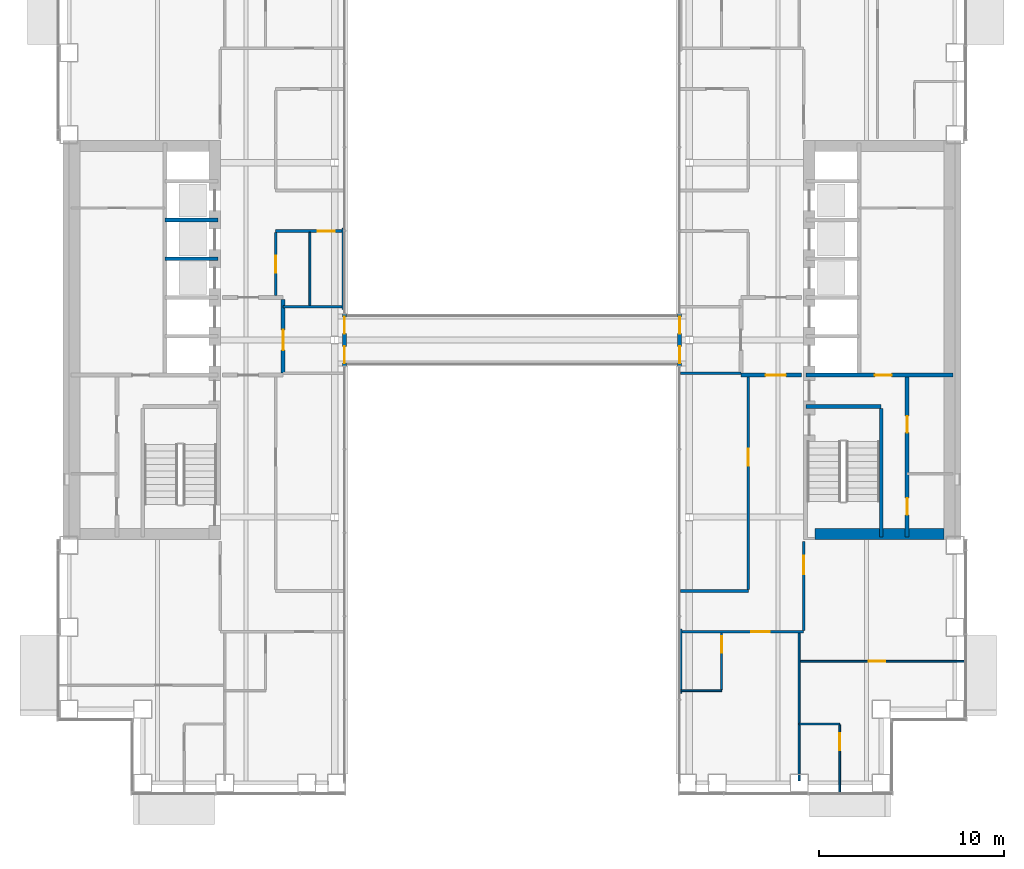
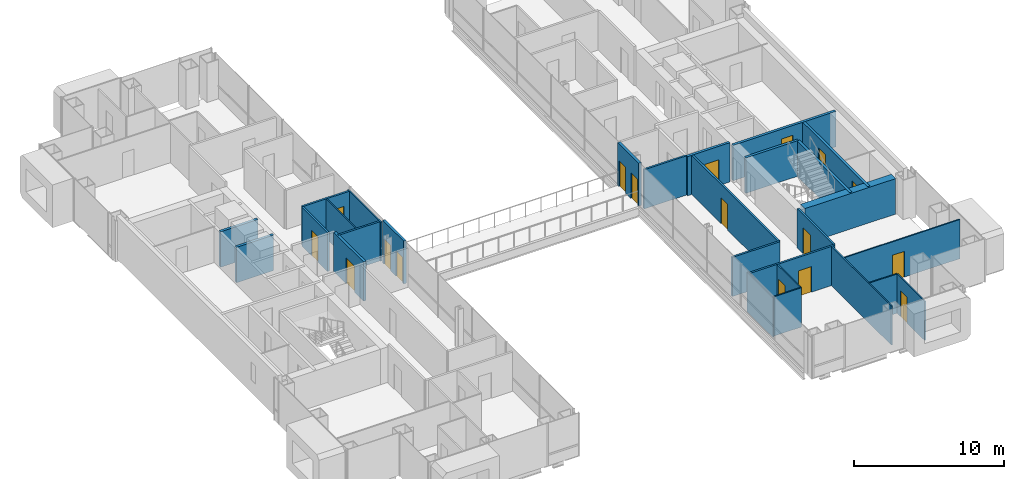
# One storey, part 15 of 21: 28 walls, 17 doors, 17 openings.
"""IFC4 building model written with IfcOpenShell, lengths in metres."""

from ifc_helpers import new_model, si_unit, direction, frame, frame_2d, origin, place, context, subcontext, project, spatial, rectangle, extrude, material, layer, layer_set, type_object, element, fill, save


model = new_model("IFC4")

# Units and contexts
model_context = context("Model", 3, precision=1e-05, world=origin(), true_north=direction((0.0, 1.0)))
body_context = subcontext(model_context, "Body", "Model", "MODEL_VIEW")
ifc_project = project(units=[si_unit("LENGTHUNIT", "METRE"), si_unit("AREAUNIT", "SQUARE_METRE"), si_unit("VOLUMEUNIT", "CUBIC_METRE"), si_unit("PLANEANGLEUNIT", "RADIAN"), si_unit("MASSUNIT", "GRAM", prefix="KILO")], contexts=[model_context])

# Site, building, storey
site_placement = place(None, origin())
site = spatial("IfcSite", under=ifc_project, at=site_placement, CompositionType="ELEMENT")
building_placement = place(site_placement, origin())
building = spatial("IfcBuilding", under=site, at=building_placement, Name="Cobrizo Arcos Hotel Tower", CompositionType="ELEMENT")
storey_placement = place(building_placement, frame((0.0, 0.0, 81.0)))
storey = spatial("IfcBuildingStorey", under=building, at=storey_placement, Name="L19", CompositionType="ELEMENT", Elevation=81.0)

# Wall, opening, door
ifc_material_1 = material(Name="Gypsum board partition")
ifc_layer_1 = layer(ifc_material_1, 0.14990234375)
ifc_layer_set_1 = layer_set([ifc_layer_1], Name="Corridor wall EI 60 150")
wall_type_1 = type_object("IfcWallType", Name="Corridor wall EI 60 150", PredefinedType="PARTITIONING", material=ifc_layer_set_1)
wall_1_placement = place(storey_placement, frame((9.14990234375, -15.800048828125, 0.0), z_axis=(0.0, 0.0, 1.0), x_axis=(1.0, 0.0, 0.0)))
wall_1 = element("IfcWall", 1, at=wall_1_placement, inside=storey, type_object=wall_type_1, Name="Partition 008", PredefinedType="PARTITIONING", context=body_context, shape_type="SweptSolid", body=[
    extrude(rectangle(XDim=6.650146484375, YDim=0.14990234375, at=frame_2d((3.3251953125, 0.0))), origin(), (0.0, 0.0, 1.0), 3.199951171875),
])
opening_1_placement = place(wall_1_placement, frame((3.802978515625, 0.0, 0.0)))
opening_1 = element("IfcOpeningElement", 2, at=opening_1_placement, cuts=wall_1, Name="Opening GD-03", PredefinedType="OPENING", context=body_context, shape_type="SweptSolid", body=[
    extrude(rectangle(XDim=1.0, YDim=2.10009765625, at=frame_2d((0.5, 1.050048828125))), frame((0.0, 0.0869140625, 0.0), z_axis=(0.0, -1.0, 0.0), x_axis=(1.0, 0.0, 0.0)), (0.0, 0.0, 1.0), 0.173828125),
])
ifc_material_2 = material(Name="Timber door leaf", Category="wood")
door_type_1 = type_object("IfcDoorType", Name="Guest room door FD30S 1000x2100", OperationType="SINGLE_SWING_LEFT", PredefinedType="DOOR", material=ifc_material_2)
door_1_placement = place(opening_1_placement, origin())
door_1 = element("IfcDoor", 3, at=door_1_placement, inside=storey, type_object=door_type_1, Name="Door GD-03", OperationType="SINGLE_SWING_LEFT", OverallHeight=2.10009765625, OverallWidth=1.0, PredefinedType="DOOR", context=body_context, shape_type="SweptSolid", body=[
    extrude(rectangle(XDim=1.0, YDim=2.10009765625, at=frame_2d((0.5, 1.050048828125))), frame((0.0, 0.02490234375, 0.0), z_axis=(0.0, -1.0, 0.0), x_axis=(1.0, 0.0, 0.0)), (0.0, 0.0, 1.0), 0.050048828125),
])
fill(opening_1, door_1)

# Walls
wall_2_placement = place(storey_placement, frame((9.1201171875, -13.60009765625, 0.0), z_axis=(0.0, 0.0, 1.0), x_axis=(1.0, 0.0, 0.0)))
element("IfcWall", 4, at=wall_2_placement, inside=storey, type_object=wall_type_1, Name="Partition 010", PredefinedType="PARTITIONING", context=body_context, shape_type="SweptSolid", body=[
    extrude(rectangle(XDim=3.679931640625, YDim=0.14990234375, at=frame_2d((1.83984375, 0.0))), origin(), (0.0, 0.0, 1.0), 3.199951171875),
])
wall_3_placement = place(storey_placement, frame((9.1201171875, -1.800048828125, 0.0), z_axis=(0.0, 0.0, 1.0), x_axis=(1.0, 0.0, 0.0)))
element("IfcWall", 5, at=wall_3_placement, inside=storey, type_object=wall_type_1, Name="Partition 020", PredefinedType="PARTITIONING", context=body_context, shape_type="SweptSolid", body=[
    extrude(rectangle(XDim=3.27978515625, YDim=0.14990234375, at=frame_2d((1.639892578125, 0.0))), origin(), (0.0, 0.0, 1.0), 3.199951171875),
])
wall_4_placement = place(storey_placement, frame((-12.39990234375, 1.800048828125, 0.0), z_axis=(0.0, 0.0, 1.0), x_axis=(1.0, 0.0, 0.0)))
element("IfcWall", 6, at=wall_4_placement, inside=storey, type_object=wall_type_1, Name="Partition 023", PredefinedType="PARTITIONING", context=body_context, shape_type="SweptSolid", body=[
    extrude(rectangle(XDim=3.25, YDim=0.14990234375, at=frame_2d((1.625, 0.0))), origin(), (0.0, 0.0, 1.0), 3.199951171875),
])

# Wall, opening, door
wall_5_placement = place(storey_placement, frame((-12.800048828125, 5.89990234375, 0.0), z_axis=(0.0, 0.0, 1.0), x_axis=(1.0, 0.0, 0.0)))
wall_5 = element("IfcWall", 7, at=wall_5_placement, inside=storey, type_object=wall_type_1, Name="Partition 031", PredefinedType="PARTITIONING", context=body_context, shape_type="SweptSolid", body=[
    extrude(rectangle(XDim=3.650146484375, YDim=0.14990234375, at=frame_2d((1.8251953125, 0.0))), origin(), (0.0, 0.0, 1.0), 3.199951171875),
])
opening_2_placement = place(wall_5_placement, frame((2.2880859375, 0.0, 0.0)))
opening_2 = element("IfcOpeningElement", 8, at=opening_2_placement, cuts=wall_5, Name="Opening ED-10", PredefinedType="OPENING", context=body_context, shape_type="SweptSolid", body=[
    extrude(rectangle(XDim=0.89990234375, YDim=2.10009765625, at=frame_2d((0.449951171875, 1.050048828125))), frame((0.0, 0.0869140625, 0.0), z_axis=(0.0, -1.0, 0.0), x_axis=(1.0, 0.0, 0.0)), (0.0, 0.0, 1.0), 0.173828125),
])
door_type_2 = type_object("IfcDoorType", Name="En-suite door 900x2100", OperationType="SINGLE_SWING_LEFT", PredefinedType="DOOR", material=ifc_material_2)
door_2_placement = place(opening_2_placement, origin())
door_2 = element("IfcDoor", 9, at=door_2_placement, inside=storey, type_object=door_type_2, Name="Door ED-10", OperationType="SINGLE_SWING_LEFT", OverallHeight=2.10009765625, OverallWidth=0.89990234375, PredefinedType="DOOR", context=body_context, shape_type="SweptSolid", body=[
    extrude(rectangle(XDim=0.89990234375, YDim=2.10009765625, at=frame_2d((0.449951171875, 1.050048828125))), frame((0.0, 0.02490234375, 0.0), z_axis=(0.0, -1.0, 0.0), x_axis=(1.0, 0.0, 0.0)), (0.0, 0.0, 1.0), 0.050048828125),
])
fill(opening_2, door_2)

wall_6_placement = place(storey_placement, frame((-12.800048828125, 2.39990234375, 0.0), z_axis=(0.0, 0.0, 1.0), x_axis=(0.0, 1.0, 0.0)))
wall_6 = element("IfcWall", 10, at=wall_6_placement, inside=storey, type_object=wall_type_1, Name="Partition 062", PredefinedType="PARTITIONING", context=body_context, shape_type="SweptSolid", body=[
    extrude(rectangle(XDim=3.425048828125, YDim=0.14990234375, at=frame_2d((1.71240234375, 0.0))), origin(), (0.0, 0.0, 1.0), 3.199951171875),
])
opening_3_placement = place(wall_6_placement, frame((1.25, 0.0, 0.0)))
opening_3 = element("IfcOpeningElement", 11, at=opening_3_placement, cuts=wall_6, Name="Opening ED-09", PredefinedType="OPENING", context=body_context, shape_type="SweptSolid", body=[
    extrude(rectangle(XDim=0.89990234375, YDim=2.10009765625, at=frame_2d((0.449951171875, 1.050048828125))), frame((0.0, 0.0869140625, 0.0), z_axis=(0.0, -1.0, 0.0), x_axis=(1.0, 0.0, 0.0)), (0.0, 0.0, 1.0), 0.173828125),
])
door_3_placement = place(opening_3_placement, origin())
door_3 = element("IfcDoor", 12, at=door_3_placement, inside=storey, type_object=door_type_2, Name="Door ED-09", OperationType="SINGLE_SWING_RIGHT", OverallHeight=2.10009765625, OverallWidth=0.89990234375, PredefinedType="DOOR", context=body_context, shape_type="SweptSolid", body=[
    extrude(rectangle(XDim=0.89990234375, YDim=2.10009765625, at=frame_2d((0.449951171875, 1.050048828125))), frame((0.0, 0.02490234375, 0.0), z_axis=(0.0, -1.0, 0.0), x_axis=(1.0, 0.0, 0.0)), (0.0, 0.0, 1.0), 0.050048828125),
])
fill(opening_3, door_3)

wall_7_placement = place(storey_placement, frame((12.800048828125, -13.52490234375, 0.0), z_axis=(0.0, 0.0, 1.0), x_axis=(0.0, 1.0, 0.0)))
wall_7 = element("IfcWall", 13, at=wall_7_placement, inside=storey, type_object=wall_type_1, Name="Partition 073", PredefinedType="PARTITIONING", context=body_context, shape_type="SweptSolid", body=[
    extrude(rectangle(XDim=11.52490234375, YDim=0.14990234375, at=frame_2d((5.762451171875, 0.0))), origin(), (0.0, 0.0, 1.0), 3.199951171875),
])
opening_4_placement = place(wall_7_placement, frame((6.72509765625, 0.0, 0.0)))
opening_4 = element("IfcOpeningElement", 14, at=opening_4_placement, cuts=wall_7, Name="Opening RD-16", PredefinedType="OPENING", context=body_context, shape_type="SweptSolid", body=[
    extrude(rectangle(XDim=0.89990234375, YDim=2.10009765625, at=frame_2d((0.449951171875, 1.050048828125))), frame((0.0, 0.0869140625, 0.0), z_axis=(0.0, -1.0, 0.0), x_axis=(1.0, 0.0, 0.0)), (0.0, 0.0, 1.0), 0.173828125),
])
door_type_3 = type_object("IfcDoorType", Name="Room door FD30 900x2100", OperationType="SINGLE_SWING_LEFT", PredefinedType="DOOR", material=ifc_material_2)
door_4_placement = place(opening_4_placement, origin())
door_4 = element("IfcDoor", 15, at=door_4_placement, inside=storey, type_object=door_type_3, Name="Door RD-16", OperationType="SINGLE_SWING_LEFT", OverallHeight=2.10009765625, OverallWidth=0.89990234375, PredefinedType="DOOR", context=body_context, shape_type="SweptSolid", body=[
    extrude(rectangle(XDim=0.89990234375, YDim=2.10009765625, at=frame_2d((0.449951171875, 1.050048828125))), frame((0.0, 0.02490234375, 0.0), z_axis=(0.0, -1.0, 0.0), x_axis=(1.0, 0.0, 0.0)), (0.0, 0.0, 1.0), 0.050048828125),
])
fill(opening_4, door_4)

wall_8_placement = place(storey_placement, frame((15.800048828125, -15.72509765625, 0.0), z_axis=(0.0, 0.0, 1.0), x_axis=(0.0, 1.0, 0.0)))
wall_8 = element("IfcWall", 16, at=wall_8_placement, inside=storey, type_object=wall_type_1, Name="Partition 079", PredefinedType="PARTITIONING", context=body_context, shape_type="SweptSolid", body=[
    extrude(rectangle(XDim=4.80517578125, YDim=0.14990234375, at=frame_2d((2.402587890625, 0.0))), origin(), (0.0, 0.0, 1.0), 3.199951171875),
])
opening_5_placement = place(wall_8_placement, frame((3.02490234375, 0.0, 0.0)))
opening_5 = element("IfcOpeningElement", 17, at=opening_5_placement, cuts=wall_8, Name="Opening GD-07", PredefinedType="OPENING", context=body_context, shape_type="SweptSolid", body=[
    extrude(rectangle(XDim=1.0, YDim=2.10009765625, at=frame_2d((0.5, 1.050048828125))), frame((0.0, 0.0869140625, 0.0), z_axis=(0.0, -1.0, 0.0), x_axis=(1.0, 0.0, 0.0)), (0.0, 0.0, 1.0), 0.173828125),
])
door_5_placement = place(opening_5_placement, origin())
door_5 = element("IfcDoor", 18, at=door_5_placement, inside=storey, type_object=door_type_1, Name="Door GD-07", OperationType="SINGLE_SWING_LEFT", OverallHeight=2.10009765625, OverallWidth=1.0, PredefinedType="DOOR", context=body_context, shape_type="SweptSolid", body=[
    extrude(rectangle(XDim=1.0, YDim=2.10009765625, at=frame_2d((0.5, 1.050048828125))), frame((0.0, 0.02490234375, 0.0), z_axis=(0.0, -1.0, 0.0), x_axis=(1.0, 0.0, 0.0)), (0.0, 0.0, 1.0), 0.050048828125),
])
fill(opening_5, door_5)

# Wall, openings, doors
ifc_material_3 = material(Name="Aluminium 6063-T6 anodised pale", Category="aluminium")
ifc_layer_2 = layer(ifc_material_3, 0.199951171875)
ifc_layer_set_2 = layer_set([ifc_layer_2], Name="EW-4 sky bridge door frame wall")
wall_type_2 = type_object("IfcWallType", Name="EW-4 sky bridge door frame wall", PredefinedType="SOLIDWALL", material=ifc_layer_set_2)
wall_9_placement = place(storey_placement, frame((9.074951171875, -1.39990234375, 0.0), z_axis=(0.0, 0.0, 1.0), x_axis=(0.0, 1.0, 0.0)))
wall_9 = element("IfcWall", 19, at=wall_9_placement, inside=storey, type_object=wall_type_2, Name="Sky bridge door wall A E", PredefinedType="SOLIDWALL", context=body_context, shape_type="SweptSolid", body=[
    extrude(rectangle(XDim=2.7998046875, YDim=0.199951171875, at=frame_2d((1.39990234375, 0.0))), origin(), (0.0, 0.0, 1.0), 3.5),
])
opening_6_placement = place(wall_9_placement, frame((0.14990234375, 0.0, 0.0)))
opening_6 = element("IfcOpeningElement", 20, at=opening_6_placement, cuts=wall_9, Name="Opening E-40", PredefinedType="OPENING", context=body_context, shape_type="SweptSolid", body=[
    extrude(rectangle(XDim=0.89990234375, YDim=2.10009765625, at=frame_2d((0.449951171875, 1.050048828125))), frame((0.0, 0.112060546875, 0.0), z_axis=(0.0, -1.0, 0.0), x_axis=(1.0, 0.0, 0.0)), (0.0, 0.0, 1.0), 0.223876953125),
])
opening_7_placement = place(wall_9_placement, frame((1.75, 0.0, 0.0)))
opening_7 = element("IfcOpeningElement", 21, at=opening_7_placement, cuts=wall_9, Name="Opening E-41", PredefinedType="OPENING", context=body_context, shape_type="SweptSolid", body=[
    extrude(rectangle(XDim=0.89990234375, YDim=2.10009765625, at=frame_2d((0.449951171875, 1.050048828125))), frame((0.0, 0.112060546875, 0.0), z_axis=(0.0, -1.0, 0.0), x_axis=(1.0, 0.0, 0.0)), (0.0, 0.0, 1.0), 0.223876953125),
])
ifc_material_4 = material(Name="Aluminium 6063-T6 and clear laminated glass", Category="aluminium")
door_type_4 = type_object("IfcDoorType", Name="D-B2 sky bridge single door 900x2100", OperationType="SINGLE_SWING_LEFT", PredefinedType="DOOR", material=ifc_material_4)
door_6_placement = place(opening_6_placement, origin())
door_6 = element("IfcDoor", 22, at=door_6_placement, inside=storey, type_object=door_type_4, Name="Sky bridge door wall A E door E-40", OperationType="SINGLE_SWING_LEFT", OverallHeight=2.10009765625, OverallWidth=0.89990234375, PredefinedType="DOOR", context=body_context, shape_type="SweptSolid", body=[
    extrude(rectangle(XDim=0.89990234375, YDim=2.10009765625, at=frame_2d((0.449951171875, 1.050048828125))), frame((0.0, 0.02490234375, 0.0), z_axis=(0.0, -1.0, 0.0), x_axis=(1.0, 0.0, 0.0)), (0.0, 0.0, 1.0), 0.050048828125),
])
fill(opening_6, door_6)
door_7_placement = place(opening_7_placement, origin())
door_7 = element("IfcDoor", 23, at=door_7_placement, inside=storey, type_object=door_type_4, Name="Sky bridge door wall A E door E-41", OperationType="SINGLE_SWING_RIGHT", OverallHeight=2.10009765625, OverallWidth=0.89990234375, PredefinedType="DOOR", context=body_context, shape_type="SweptSolid", body=[
    extrude(rectangle(XDim=0.89990234375, YDim=2.10009765625, at=frame_2d((0.449951171875, 1.050048828125))), frame((0.0, 0.02490234375, 0.0), z_axis=(0.0, -1.0, 0.0), x_axis=(1.0, 0.0, 0.0)), (0.0, 0.0, 1.0), 0.050048828125),
])
fill(opening_7, door_7)

wall_10_placement = place(storey_placement, frame((-9.074951171875, -1.39990234375, 0.0), z_axis=(0.0, 0.0, 1.0), x_axis=(0.0, 1.0, 0.0)))
wall_10 = element("IfcWall", 24, at=wall_10_placement, inside=storey, type_object=wall_type_2, Name="Sky bridge door wall A W", PredefinedType="SOLIDWALL", context=body_context, shape_type="SweptSolid", body=[
    extrude(rectangle(XDim=2.7998046875, YDim=0.199951171875, at=frame_2d((1.39990234375, 0.0))), origin(), (0.0, 0.0, 1.0), 3.5),
])
opening_8_placement = place(wall_10_placement, frame((0.14990234375, 0.0, 0.0)))
opening_8 = element("IfcOpeningElement", 25, at=opening_8_placement, cuts=wall_10, Name="Opening E-42", PredefinedType="OPENING", context=body_context, shape_type="SweptSolid", body=[
    extrude(rectangle(XDim=0.89990234375, YDim=2.10009765625, at=frame_2d((0.449951171875, 1.050048828125))), frame((0.0, 0.112060546875, 0.0), z_axis=(0.0, -1.0, 0.0), x_axis=(1.0, 0.0, 0.0)), (0.0, 0.0, 1.0), 0.223876953125),
])
opening_9_placement = place(wall_10_placement, frame((1.75, 0.0, 0.0)))
opening_9 = element("IfcOpeningElement", 26, at=opening_9_placement, cuts=wall_10, Name="Opening E-43", PredefinedType="OPENING", context=body_context, shape_type="SweptSolid", body=[
    extrude(rectangle(XDim=0.89990234375, YDim=2.10009765625, at=frame_2d((0.449951171875, 1.050048828125))), frame((0.0, 0.112060546875, 0.0), z_axis=(0.0, -1.0, 0.0), x_axis=(1.0, 0.0, 0.0)), (0.0, 0.0, 1.0), 0.223876953125),
])
door_8_placement = place(opening_8_placement, origin())
door_8 = element("IfcDoor", 27, at=door_8_placement, inside=storey, type_object=door_type_4, Name="Sky bridge door wall A W door E-42", OperationType="SINGLE_SWING_LEFT", OverallHeight=2.10009765625, OverallWidth=0.89990234375, PredefinedType="DOOR", context=body_context, shape_type="SweptSolid", body=[
    extrude(rectangle(XDim=0.89990234375, YDim=2.10009765625, at=frame_2d((0.449951171875, 1.050048828125))), frame((0.0, 0.02490234375, 0.0), z_axis=(0.0, -1.0, 0.0), x_axis=(1.0, 0.0, 0.0)), (0.0, 0.0, 1.0), 0.050048828125),
])
fill(opening_8, door_8)
door_9_placement = place(opening_9_placement, origin())
door_9 = element("IfcDoor", 28, at=door_9_placement, inside=storey, type_object=door_type_4, Name="Sky bridge door wall A W door E-43", OperationType="SINGLE_SWING_RIGHT", OverallHeight=2.10009765625, OverallWidth=0.89990234375, PredefinedType="DOOR", context=body_context, shape_type="SweptSolid", body=[
    extrude(rectangle(XDim=0.89990234375, YDim=2.10009765625, at=frame_2d((0.449951171875, 1.050048828125))), frame((0.0, 0.02490234375, 0.0), z_axis=(0.0, -1.0, 0.0), x_axis=(1.0, 0.0, 0.0)), (0.0, 0.0, 1.0), 0.050048828125),
])
fill(opening_9, door_9)

# Walls
ifc_layer_3 = layer(ifc_material_1, 0.10009765625)
ifc_layer_set_3 = layer_set([ifc_layer_3], Name="Partition EI 30 100")
wall_type_3 = type_object("IfcWallType", Name="Partition EI 30 100", PredefinedType="PARTITIONING", material=ifc_layer_set_3)
wall_11_placement = place(storey_placement, frame((15.550048828125, -20.800048828125, 0.0), z_axis=(0.0, 0.0, 1.0), x_axis=(1.0, 0.0, 0.0)))
element("IfcWall", 29, at=wall_11_placement, inside=storey, type_object=wall_type_3, Name="Partition 002", PredefinedType="PARTITIONING", context=body_context, shape_type="SweptSolid", body=[
    extrude(rectangle(XDim=2.199951171875, YDim=0.10009765625, at=frame_2d((1.10009765625, 0.0))), origin(), (0.0, 0.0, 1.0), 3.199951171875),
])
wall_12_placement = place(storey_placement, frame((9.14990234375, -19.0, 0.0), z_axis=(0.0, 0.0, 1.0), x_axis=(1.0, 0.0, 0.0)))
element("IfcWall", 30, at=wall_12_placement, inside=storey, type_object=wall_type_3, Name="Partition 004", PredefinedType="PARTITIONING", context=body_context, shape_type="SweptSolid", body=[
    extrude(rectangle(XDim=2.2001953125, YDim=0.10009765625, at=frame_2d((1.10009765625, 0.0))), origin(), (0.0, 0.0, 1.0), 3.199951171875),
])

# Wall, opening, door
wall_13_placement = place(storey_placement, frame((15.550048828125, -17.39990234375, 0.0), z_axis=(0.0, 0.0, 1.0), x_axis=(1.0, 0.0, 0.0)))
wall_13 = element("IfcWall", 31, at=wall_13_placement, inside=storey, type_object=wall_type_3, Name="Partition 006", PredefinedType="PARTITIONING", context=body_context, shape_type="SweptSolid", body=[
    extrude(rectangle(XDim=8.97998046875, YDim=0.10009765625, at=frame_2d((4.489990234375, 0.0))), origin(), (0.0, 0.0, 1.0), 3.199951171875),
])
opening_10_placement = place(wall_13_placement, frame((3.778076171875, 0.0, 0.0)))
opening_10 = element("IfcOpeningElement", 32, at=opening_10_placement, cuts=wall_13, Name="Opening RD-11", PredefinedType="OPENING", context=body_context, shape_type="SweptSolid", body=[
    extrude(rectangle(XDim=0.89990234375, YDim=2.10009765625, at=frame_2d((0.449951171875, 1.050048828125))), frame((0.0, 0.06201171875, 0.0), z_axis=(0.0, -1.0, 0.0), x_axis=(1.0, 0.0, 0.0)), (0.0, 0.0, 1.0), 0.1240234375),
])
door_10_placement = place(opening_10_placement, origin())
door_10 = element("IfcDoor", 33, at=door_10_placement, inside=storey, type_object=door_type_3, Name="Door RD-11", OperationType="SINGLE_SWING_LEFT", OverallHeight=2.10009765625, OverallWidth=0.89990234375, PredefinedType="DOOR", context=body_context, shape_type="SweptSolid", body=[
    extrude(rectangle(XDim=0.89990234375, YDim=2.10009765625, at=frame_2d((0.449951171875, 1.050048828125))), frame((0.0, 0.02490234375, 0.0), z_axis=(0.0, -1.0, 0.0), x_axis=(1.0, 0.0, 0.0)), (0.0, 0.0, 1.0), 0.050048828125),
])
fill(opening_10, door_10)

# Walls
wall_14_placement = place(storey_placement, frame((-10.949951171875, 1.875, 0.0), z_axis=(0.0, 0.0, 1.0), x_axis=(0.0, 1.0, 0.0)))
element("IfcWall", 34, at=wall_14_placement, inside=storey, type_object=wall_type_3, Name="Partition 066", PredefinedType="PARTITIONING", context=body_context, shape_type="SweptSolid", body=[
    extrude(rectangle(XDim=3.949951171875, YDim=0.10009765625, at=frame_2d((1.97509765625, 0.0))), origin(), (0.0, 0.0, 1.0), 3.199951171875),
])
wall_15_placement = place(storey_placement, frame((-9.14990234375, 1.659912109375, 0.0), z_axis=(0.0, 0.0, 1.0), x_axis=(0.0, 1.0, 0.0)))
element("IfcWall", 35, at=wall_15_placement, inside=storey, type_object=wall_type_3, Name="Partition 067", PredefinedType="PARTITIONING", context=body_context, shape_type="SweptSolid", body=[
    extrude(rectangle(XDim=4.380126953125, YDim=0.10009765625, at=frame_2d((2.18994140625, 0.0))), origin(), (0.0, 0.0, 1.0), 3.199951171875),
])
wall_16_placement = place(storey_placement, frame((9.14990234375, -19.139892578125, 0.0), z_axis=(0.0, 0.0, 1.0), x_axis=(0.0, 1.0, 0.0)))
element("IfcWall", 36, at=wall_16_placement, inside=storey, type_object=wall_type_3, Name="Partition 068", PredefinedType="PARTITIONING", context=body_context, shape_type="SweptSolid", body=[
    extrude(rectangle(XDim=3.47998046875, YDim=0.10009765625, at=frame_2d((1.739990234375, 0.0))), origin(), (0.0, 0.0, 1.0), 3.199951171875),
])

# Wall, opening, door
wall_17_placement = place(storey_placement, frame((11.35009765625, -18.949951171875, 0.0), z_axis=(0.0, 0.0, 1.0), x_axis=(0.0, 1.0, 0.0)))
wall_17 = element("IfcWall", 37, at=wall_17_placement, inside=storey, type_object=wall_type_3, Name="Partition 070", PredefinedType="PARTITIONING", context=body_context, shape_type="SweptSolid", body=[
    extrude(rectangle(XDim=3.074951171875, YDim=0.10009765625, at=frame_2d((1.53759765625, 0.0))), origin(), (0.0, 0.0, 1.0), 3.199951171875),
])
opening_11_placement = place(wall_17_placement, frame((1.99609375, 0.0, 0.0)))
opening_11 = element("IfcOpeningElement", 38, at=opening_11_placement, cuts=wall_17, Name="Opening ED-03", PredefinedType="OPENING", context=body_context, shape_type="SweptSolid", body=[
    extrude(rectangle(XDim=0.89990234375, YDim=2.10009765625, at=frame_2d((0.449951171875, 1.050048828125))), frame((0.0, 0.06201171875, 0.0), z_axis=(0.0, -1.0, 0.0), x_axis=(1.0, 0.0, 0.0)), (0.0, 0.0, 1.0), 0.1240234375),
])
door_11_placement = place(opening_11_placement, origin())
door_11 = element("IfcDoor", 39, at=door_11_placement, inside=storey, type_object=door_type_2, Name="Door ED-03", OperationType="SINGLE_SWING_RIGHT", OverallHeight=2.10009765625, OverallWidth=0.89990234375, PredefinedType="DOOR", context=body_context, shape_type="SweptSolid", body=[
    extrude(rectangle(XDim=0.89990234375, YDim=2.10009765625, at=frame_2d((0.449951171875, 1.050048828125))), frame((0.0, 0.02490234375, 0.0), z_axis=(0.0, -1.0, 0.0), x_axis=(1.0, 0.0, 0.0)), (0.0, 0.0, 1.0), 0.050048828125),
])
fill(opening_11, door_11)

# Wall
wall_18_placement = place(storey_placement, frame((15.550048828125, -23.8798828125, 0.0), z_axis=(0.0, 0.0, 1.0), x_axis=(0.0, 1.0, 0.0)))
element("IfcWall", 40, at=wall_18_placement, inside=storey, type_object=wall_type_3, Name="Partition 077", PredefinedType="PARTITIONING", context=body_context, shape_type="SweptSolid", body=[
    extrude(rectangle(XDim=8.0048828125, YDim=0.10009765625, at=frame_2d((4.00244140625, 0.0))), origin(), (0.0, 0.0, 1.0), 3.199951171875),
])

# Wall, opening, door
wall_19_placement = place(storey_placement, frame((17.75, -24.530029296875, 0.0), z_axis=(0.0, 0.0, 1.0), x_axis=(0.0, 1.0, 0.0)))
wall_19 = element("IfcWall", 41, at=wall_19_placement, inside=storey, type_object=wall_type_3, Name="Partition 081", PredefinedType="PARTITIONING", context=body_context, shape_type="SweptSolid", body=[
    extrude(rectangle(XDim=3.679931640625, YDim=0.10009765625, at=frame_2d((1.83984375, 0.0))), origin(), (0.0, 0.0, 1.0), 3.199951171875),
])
opening_12_placement = place(wall_19_placement, frame((2.320068359375, 0.0, 0.0)))
opening_12 = element("IfcOpeningElement", 42, at=opening_12_placement, cuts=wall_19, Name="Opening ED-07", PredefinedType="OPENING", context=body_context, shape_type="SweptSolid", body=[
    extrude(rectangle(XDim=0.89990234375, YDim=2.10009765625, at=frame_2d((0.449951171875, 1.050048828125))), frame((0.0, 0.06201171875, 0.0), z_axis=(0.0, -1.0, 0.0), x_axis=(1.0, 0.0, 0.0)), (0.0, 0.0, 1.0), 0.1240234375),
])
door_12_placement = place(opening_12_placement, origin())
door_12 = element("IfcDoor", 43, at=door_12_placement, inside=storey, type_object=door_type_2, Name="Door ED-07", OperationType="SINGLE_SWING_LEFT", OverallHeight=2.10009765625, OverallWidth=0.89990234375, PredefinedType="DOOR", context=body_context, shape_type="SweptSolid", body=[
    extrude(rectangle(XDim=0.89990234375, YDim=2.10009765625, at=frame_2d((0.449951171875, 1.050048828125))), frame((0.0, 0.02490234375, 0.0), z_axis=(0.0, -1.0, 0.0), x_axis=(1.0, 0.0, 0.0)), (0.0, 0.0, 1.0), 0.050048828125),
])
fill(opening_12, door_12)

# Wall
ifc_material_5 = material(Name="Concrete f'c 60 MPa", Category="concrete")
ifc_layer_4 = layer(ifc_material_5, 0.60009765625)
ifc_layer_set_4 = layer_set([ifc_layer_4], Name="RC core wall 600 f'c 60")
wall_type_4 = type_object("IfcWallType", Name="RC core wall 600 f'c 60", PredefinedType="SHEAR", material=ifc_layer_set_4)
wall_20_placement = place(storey_placement, frame((16.39990234375, -10.5, 0.0), z_axis=(0.0, 0.0, 1.0), x_axis=(1.0, 0.0, 0.0)))
element("IfcWall", 44, at=wall_20_placement, inside=storey, type_object=wall_type_4, Name="Core wall CW1, east core, south end, L19", PredefinedType="SHEAR", context=body_context, shape_type="SweptSolid", body=[
    extrude(rectangle(XDim=7.0, YDim=0.60009765625, at=frame_2d((3.5, 0.0))), origin(), (0.0, 0.0, 1.0), 2.89990234375),
])

# Wall, opening, door
ifc_layer_5 = layer(ifc_material_1, 0.199951171875)
ifc_layer_set_5 = layer_set([ifc_layer_5], Name="Shaft wall EI 120 200")
wall_type_5 = type_object("IfcWallType", Name="Shaft wall EI 120 200", PredefinedType="PARTITIONING", material=ifc_layer_set_5)
wall_21_placement = place(storey_placement, frame((12.39990234375, -1.89990234375, 0.0), z_axis=(0.0, 0.0, 1.0), x_axis=(1.0, 0.0, 0.0)))
wall_21 = element("IfcWall", 45, at=wall_21_placement, inside=storey, type_object=wall_type_5, Name="Partition 017", PredefinedType="PARTITIONING", context=body_context, shape_type="SweptSolid", body=[
    extrude(rectangle(XDim=3.280029296875, YDim=0.199951171875, at=frame_2d((1.64013671875, 0.0))), origin(), (0.0, 0.0, 1.0), 3.199951171875),
])
opening_13_placement = place(wall_21_placement, frame((1.340087890625, 0.0, 0.0)))
opening_13 = element("IfcOpeningElement", 46, at=opening_13_placement, cuts=wall_21, Name="Opening FD-07", PredefinedType="OPENING", context=body_context, shape_type="SweptSolid", body=[
    extrude(rectangle(XDim=1.10009765625, YDim=2.10009765625, at=frame_2d((0.550048828125, 1.050048828125))), frame((0.0, 0.112060546875, 0.0), z_axis=(0.0, -1.0, 0.0), x_axis=(1.0, 0.0, 0.0)), (0.0, 0.0, 1.0), 0.223876953125),
])
ifc_material_6 = material(Name="Steel door leaf", Category="steel")
door_type_5 = type_object("IfcDoorType", Name="Fire door FD60 1100x2100", OperationType="SINGLE_SWING_LEFT", PredefinedType="DOOR", material=ifc_material_6)
door_13_placement = place(opening_13_placement, origin())
door_13 = element("IfcDoor", 47, at=door_13_placement, inside=storey, type_object=door_type_5, Name="Door FD-07", OperationType="SINGLE_SWING_RIGHT", OverallHeight=2.10009765625, OverallWidth=1.10009765625, PredefinedType="DOOR", context=body_context, shape_type="SweptSolid", body=[
    extrude(rectangle(XDim=1.10009765625, YDim=2.10009765625, at=frame_2d((0.550048828125, 1.050048828125))), frame((0.0, 0.02490234375, 0.0), z_axis=(0.0, -1.0, 0.0), x_axis=(1.0, 0.0, 0.0)), (0.0, 0.0, 1.0), 0.050048828125),
])
fill(opening_13, door_13)

wall_22_placement = place(storey_placement, frame((15.919921875, -1.89990234375, 0.0), z_axis=(0.0, 0.0, 1.0), x_axis=(1.0, 0.0, 0.0)))
wall_22 = element("IfcWall", 48, at=wall_22_placement, inside=storey, type_object=wall_type_5, Name="Partition 018", PredefinedType="PARTITIONING", context=body_context, shape_type="SweptSolid", body=[
    extrude(rectangle(XDim=7.9599609375, YDim=0.199951171875, at=frame_2d((3.97998046875, 0.0))), origin(), (0.0, 0.0, 1.0), 2.89990234375),
])
opening_14_placement = place(wall_22_placement, frame((3.739990234375, 0.0, 0.0)))
opening_14 = element("IfcOpeningElement", 49, at=opening_14_placement, cuts=wall_22, Name="Opening RD-07", PredefinedType="OPENING", context=body_context, shape_type="SweptSolid", body=[
    extrude(rectangle(XDim=0.89990234375, YDim=2.10009765625, at=frame_2d((0.449951171875, 1.050048828125))), frame((0.0, 0.112060546875, 0.0), z_axis=(0.0, -1.0, 0.0), x_axis=(1.0, 0.0, 0.0)), (0.0, 0.0, 1.0), 0.223876953125),
])
door_14_placement = place(opening_14_placement, origin())
door_14 = element("IfcDoor", 50, at=door_14_placement, inside=storey, type_object=door_type_3, Name="Door RD-07", OperationType="SINGLE_SWING_LEFT", OverallHeight=2.10009765625, OverallWidth=0.89990234375, PredefinedType="DOOR", context=body_context, shape_type="SweptSolid", body=[
    extrude(rectangle(XDim=0.89990234375, YDim=2.10009765625, at=frame_2d((0.449951171875, 1.050048828125))), frame((0.0, 0.02490234375, 0.0), z_axis=(0.0, -1.0, 0.0), x_axis=(1.0, 0.0, 0.0)), (0.0, 0.0, 1.0), 0.050048828125),
])
fill(opening_14, door_14)

# Walls
for number, where, z_axis, x_axis, name in (
    (51, (-18.800048828125, 4.39990234375, 0.0), (0.0, 0.0, 1.0), (1.0, 0.0, 0.0), "Partition 029"),
    (52, (-18.800048828125, 6.5, 0.0), (0.0, 0.0, 1.0), (1.0, 0.0, 0.0), "Partition 033"),
):
    element("IfcWall", number, at=place(storey_placement, frame(where, z_axis=z_axis, x_axis=x_axis)), inside=storey, type_object=wall_type_5, Name=name, PredefinedType="PARTITIONING", context=body_context, shape_type="SweptSolid", body=[
        extrude(rectangle(XDim=2.880126953125, YDim=0.199951171875, at=frame_2d((1.43994140625, 0.0))), origin(), (0.0, 0.0, 1.0), 2.89990234375),
    ])

# Wall, opening, door
wall_23_placement = place(storey_placement, frame((-12.39990234375, -1.800048828125, 0.0), z_axis=(0.0, 0.0, 1.0), x_axis=(0.0, 1.0, 0.0)))
wall_23 = element("IfcWall", 53, at=wall_23_placement, inside=storey, type_object=wall_type_5, Name="Partition 065", PredefinedType="PARTITIONING", context=body_context, shape_type="SweptSolid", body=[
    extrude(rectangle(XDim=4.0, YDim=0.199951171875, at=frame_2d((2.0, 0.0))), origin(), (0.0, 0.0, 1.0), 3.199951171875),
])
opening_15_placement = place(wall_23_placement, frame((1.25, 0.0, 0.0)))
opening_15 = element("IfcOpeningElement", 54, at=opening_15_placement, cuts=wall_23, Name="Opening FD-02", PredefinedType="OPENING", context=body_context, shape_type="SweptSolid", body=[
    extrude(rectangle(XDim=1.10009765625, YDim=2.10009765625, at=frame_2d((0.550048828125, 1.050048828125))), frame((0.0, 0.112060546875, 0.0), z_axis=(0.0, -1.0, 0.0), x_axis=(1.0, 0.0, 0.0)), (0.0, 0.0, 1.0), 0.223876953125),
])
door_15_placement = place(opening_15_placement, origin())
door_15 = element("IfcDoor", 55, at=door_15_placement, inside=storey, type_object=door_type_5, Name="Door FD-02", OperationType="SINGLE_SWING_LEFT", OverallHeight=2.10009765625, OverallWidth=1.10009765625, PredefinedType="DOOR", context=body_context, shape_type="SweptSolid", body=[
    extrude(rectangle(XDim=1.10009765625, YDim=2.10009765625, at=frame_2d((0.550048828125, 1.050048828125))), frame((0.0, 0.02490234375, 0.0), z_axis=(0.0, -1.0, 0.0), x_axis=(1.0, 0.0, 0.0)), (0.0, 0.0, 1.0), 0.050048828125),
])
fill(opening_15, door_15)

# Wall, openings, doors
wall_24_placement = place(storey_placement, frame((21.39990234375, -10.679931640625, 0.0), z_axis=(0.0, 0.0, 1.0), x_axis=(0.0, 1.0, 0.0)))
wall_24 = element("IfcWall", 56, at=wall_24_placement, inside=storey, type_object=wall_type_5, Name="Partition 085", PredefinedType="PARTITIONING", context=body_context, shape_type="SweptSolid", body=[
    extrude(rectangle(XDim=8.679931640625, YDim=0.199951171875, at=frame_2d((4.33984375, 0.0))), origin(), (0.0, 0.0, 1.0), 2.89990234375),
])
opening_16_placement = place(wall_24_placement, frame((1.2099609375, 0.0, 0.0)))
opening_16 = element("IfcOpeningElement", 57, at=opening_16_placement, cuts=wall_24, Name="Opening RD-05", PredefinedType="OPENING", context=body_context, shape_type="SweptSolid", body=[
    extrude(rectangle(XDim=0.89990234375, YDim=2.10009765625, at=frame_2d((0.449951171875, 1.050048828125))), frame((0.0, 0.112060546875, 0.0), z_axis=(0.0, -1.0, 0.0), x_axis=(1.0, 0.0, 0.0)), (0.0, 0.0, 1.0), 0.223876953125),
])
opening_17_placement = place(wall_24_placement, frame((5.659912109375, 0.0, 0.0)))
opening_17 = element("IfcOpeningElement", 58, at=opening_17_placement, cuts=wall_24, Name="Opening RD-06", PredefinedType="OPENING", context=body_context, shape_type="SweptSolid", body=[
    extrude(rectangle(XDim=0.89990234375, YDim=2.10009765625, at=frame_2d((0.449951171875, 1.050048828125))), frame((0.0, 0.112060546875, 0.0), z_axis=(0.0, -1.0, 0.0), x_axis=(1.0, 0.0, 0.0)), (0.0, 0.0, 1.0), 0.223876953125),
])
door_16_placement = place(opening_16_placement, origin())
door_16 = element("IfcDoor", 59, at=door_16_placement, inside=storey, type_object=door_type_3, Name="Door RD-05", OperationType="SINGLE_SWING_RIGHT", OverallHeight=2.10009765625, OverallWidth=0.89990234375, PredefinedType="DOOR", context=body_context, shape_type="SweptSolid", body=[
    extrude(rectangle(XDim=0.89990234375, YDim=2.10009765625, at=frame_2d((0.449951171875, 1.050048828125))), frame((0.0, 0.02490234375, 0.0), z_axis=(0.0, -1.0, 0.0), x_axis=(1.0, 0.0, 0.0)), (0.0, 0.0, 1.0), 0.050048828125),
])
fill(opening_16, door_16)
door_17_placement = place(opening_17_placement, origin())
door_17 = element("IfcDoor", 60, at=door_17_placement, inside=storey, type_object=door_type_3, Name="Door RD-06", OperationType="SINGLE_SWING_RIGHT", OverallHeight=2.10009765625, OverallWidth=0.89990234375, PredefinedType="DOOR", context=body_context, shape_type="SweptSolid", body=[
    extrude(rectangle(XDim=0.89990234375, YDim=2.10009765625, at=frame_2d((0.449951171875, 1.050048828125))), frame((0.0, 0.02490234375, 0.0), z_axis=(0.0, -1.0, 0.0), x_axis=(1.0, 0.0, 0.0)), (0.0, 0.0, 1.0), 0.050048828125),
])
fill(opening_17, door_17)

# Walls
ifc_material_7 = material(Name="Concrete f'c 40 MPa", Category="concrete")
ifc_layer_6 = layer(ifc_material_7, 0.199951171875)
ifc_layer_set_6 = layer_set([ifc_layer_6], Name="Stair shaft wall 200")
wall_type_6 = type_object("IfcWallType", Name="Stair shaft wall 200", PredefinedType="SHEAR", material=ifc_layer_set_6)
wall_25_placement = place(storey_placement, frame((15.919921875, -3.60009765625, 0.0), z_axis=(0.0, 0.0, 1.0), x_axis=(1.0, 0.0, 0.0)))
element("IfcWall", 61, at=wall_25_placement, inside=storey, type_object=wall_type_6, Name="Stair shaft wall E", PredefinedType="SHEAR", context=body_context, shape_type="SweptSolid", body=[
    extrude(rectangle(XDim=4.080078125, YDim=0.199951171875, at=frame_2d((2.0400390625, 0.0))), origin(), (0.0, 0.0, 1.0), 2.89990234375),
])
wall_26_placement = place(storey_placement, frame((20.0, -10.679931640625, 0.0), z_axis=(0.0, 0.0, 1.0), x_axis=(0.0, 1.0, 0.0)))
element("IfcWall", 62, at=wall_26_placement, inside=storey, type_object=wall_type_6, Name="Stair shaft wall E", PredefinedType="SHEAR", context=body_context, shape_type="SweptSolid", body=[
    extrude(rectangle(XDim=6.97998046875, YDim=0.199951171875, at=frame_2d((3.489990234375, 0.0))), origin(), (0.0, 0.0, 1.0), 2.89990234375),
])

save(model, "model.ifc")
